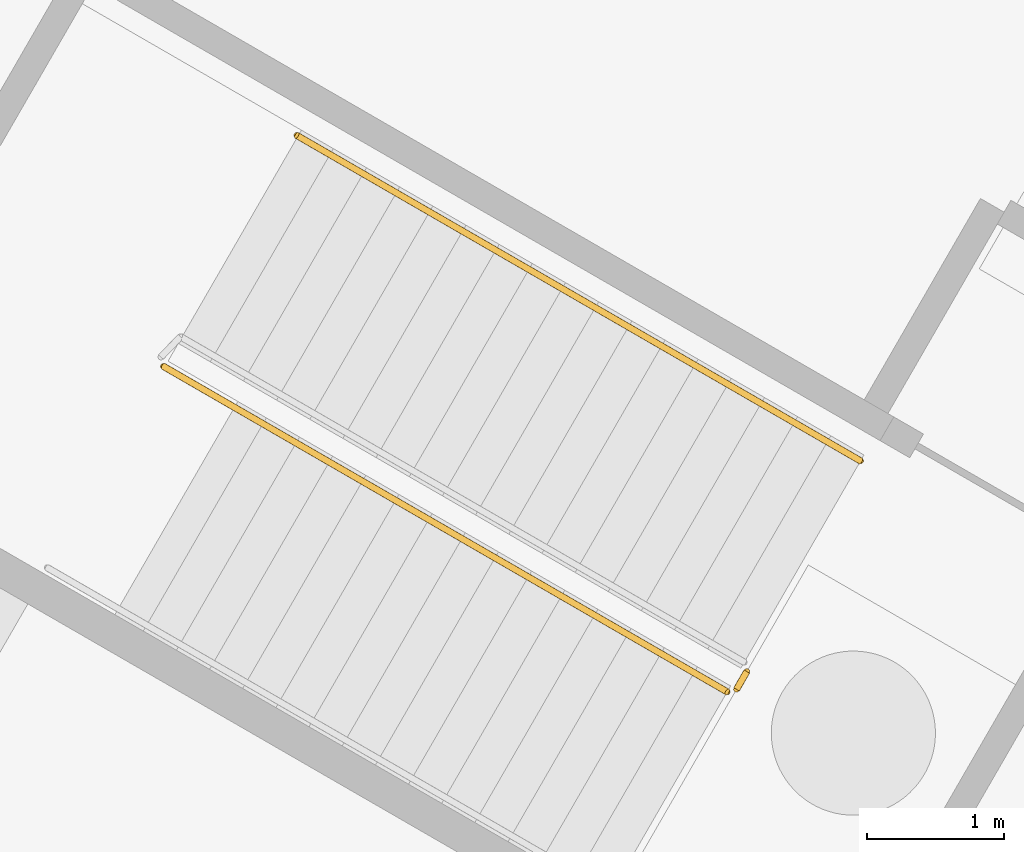
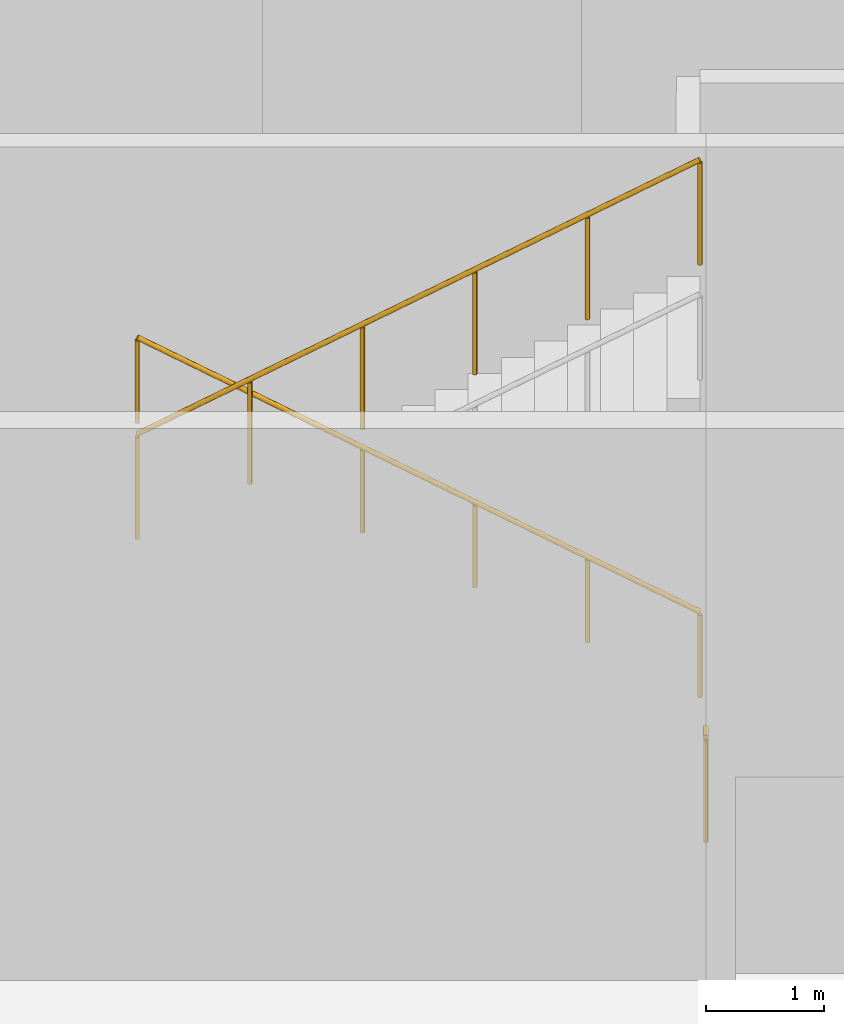
# One storey, part 30 of 38: 3 railings.
"""IFC4 building model written with IfcOpenShell, lengths in metres."""

from ifc_helpers import new_model, si_unit, direction, frame, origin, origin_2d, place, context, subcontext, project, spatial, circle, extrude, material, type_object, element, save


model = new_model("IFC4")

# Units and contexts
model_context = context("Model", 3, precision=1e-05, world=origin(), true_north=direction((0.0, 1.0)))
body_context = subcontext(model_context, "Body", "Model", "MODEL_VIEW")
ifc_project = project(units=[si_unit("LENGTHUNIT", "METRE"), si_unit("AREAUNIT", "SQUARE_METRE"), si_unit("VOLUMEUNIT", "CUBIC_METRE"), si_unit("PLANEANGLEUNIT", "RADIAN"), si_unit("MASSUNIT", "GRAM", prefix="KILO")], contexts=[model_context])

# Site, building, storey
site_placement = place(None, origin())
site = spatial("IfcSite", under=ifc_project, at=site_placement, CompositionType="ELEMENT")
building_placement = place(site_placement, origin())
building = spatial("IfcBuilding", under=site, at=building_placement, Name="Mestral Congress Tower", CompositionType="ELEMENT")
storey_placement = place(building_placement, origin())
storey = spatial("IfcBuildingStorey", under=building, at=storey_placement, Name="L00", CompositionType="ELEMENT", Elevation=0.0)

# Railings
ifc_material_1 = material(Name="Steel balustrade", Category="steel")
railing_type_1 = type_object("IfcRailingType", Name="Podium stair guard 1100", PredefinedType="GUARDRAIL", material=ifc_material_1)
railing_1_placement = place(storey_placement, frame((-72.639892578125, -1.93994140625, 3.166748046875)))
element("IfcRailing", 1, at=railing_1_placement, inside=storey, type_object=railing_type_1, Name="L00 PS-W6 stair guard 2", PredefinedType="GUARDRAIL", context=body_context, shape_type="SweptSolid", body=[
    extrude(circle(Radius=0.02392578125, at=origin_2d()), frame((0.0, 0.0, 1.076171875), z_axis=(0.744170432188, -0.42966642247, 0.511465671634), x_axis=(0.5000169524, 0.866015616091, 0.0)), (0.0, 0.0, 1.0), 5.53955078125),
    extrude(circle(Radius=0.02099609375, at=origin_2d()), origin(), (0.0, 0.0, 1.0), 1.052001953125),
    extrude(circle(Radius=0.02099609375, at=origin_2d()), frame((0.824462890625, -0.47607421875, 0.566650390625)), (0.0, 0.0, 1.0), 1.052001953125),
    extrude(circle(Radius=0.02099609375, at=origin_2d()), frame((1.64892578125, -0.9521484375, 1.13330078125)), (0.0, 0.0, 1.0), 1.052001953125),
    extrude(circle(Radius=0.02099609375, at=origin_2d()), frame((2.473388671875, -1.427978515625, 1.699951171875)), (0.0, 0.0, 1.0), 1.052001953125),
    extrude(circle(Radius=0.02099609375, at=origin_2d()), frame((3.2978515625, -1.904052734375, 2.2666015625)), (0.0, 0.0, 1.0), 1.052001953125),
    extrude(circle(Radius=0.02099609375, at=origin_2d()), frame((4.122314453125, -2.380126953125, 2.833251953125)), (0.0, 0.0, 1.0), 1.052001953125),
])
railing_2_placement = place(storey_placement, frame((-68.374267578125, -4.171630859375, 0.0)))
element("IfcRailing", 2, at=railing_2_placement, inside=storey, type_object=railing_type_1, Name="L00 PS-W6 stair guard 3", PredefinedType="GUARDRAIL", context=body_context, shape_type="SweptSolid", body=[
    extrude(circle(Radius=0.02392578125, at=origin_2d()), frame((0.0, 0.0, 1.076171875), z_axis=(-0.499112439033, -0.866537231285, 0.0), x_axis=(0.866537231285, -0.499112439033, 0.0)), (0.0, 0.0, 1.0), 0.150146484375),
    extrude(circle(Radius=0.02099609375, at=origin_2d()), origin(), (0.0, 0.0, 1.0), 1.052001953125),
    extrude(circle(Radius=0.02099609375, at=origin_2d()), frame((-0.074951171875, -0.130126953125, 0.0)), (0.0, 0.0, 1.0), 1.052001953125),
])
ifc_material_2 = material(Name="Steel handrail", Category="steel")
railing_type_2 = type_object("IfcRailingType", Name="Podium stair handrail 900", PredefinedType="HANDRAIL", material=ifc_material_2)
railing_3_placement = place(storey_placement, frame((-67.54248046875, -2.631103515625, 0.166748046875)))
element("IfcRailing", 3, at=railing_3_placement, inside=storey, type_object=railing_type_2, Name="L00 PS-W6 stair handrail 1", PredefinedType="HANDRAIL", context=body_context, shape_type="SweptSolid", body=[
    extrude(circle(Radius=0.02392578125, at=origin_2d()), frame((0.0, 0.0, 0.8759765625), z_axis=(-0.744184523948, 0.429630485013, 0.51147535685), x_axis=(-0.499978485002, -0.866037825118, 0.0)), (0.0, 0.0, 1.0), 5.539306640625),
    extrude(circle(Radius=0.02099609375, at=origin_2d()), origin(), (0.0, 0.0, 1.0), 0.851806640625),
    extrude(circle(Radius=0.02099609375, at=origin_2d()), frame((-0.824462890625, 0.47607421875, 0.566650390625)), (0.0, 0.0, 1.0), 0.851806640625),
    extrude(circle(Radius=0.02099609375, at=origin_2d()), frame((-1.64892578125, 0.951904296875, 1.13330078125)), (0.0, 0.0, 1.0), 0.851806640625),
    extrude(circle(Radius=0.02099609375, at=origin_2d()), frame((-2.473388671875, 1.427978515625, 1.699951171875)), (0.0, 0.0, 1.0), 0.851806640625),
    extrude(circle(Radius=0.02099609375, at=origin_2d()), frame((-3.2978515625, 1.90380859375, 2.2666015625)), (0.0, 0.0, 1.0), 0.851806640625),
    extrude(circle(Radius=0.02099609375, at=origin_2d()), frame((-4.122314453125, 2.3798828125, 2.833251953125)), (0.0, 0.0, 1.0), 0.851806640625),
])

save(model, "model.ifc")
